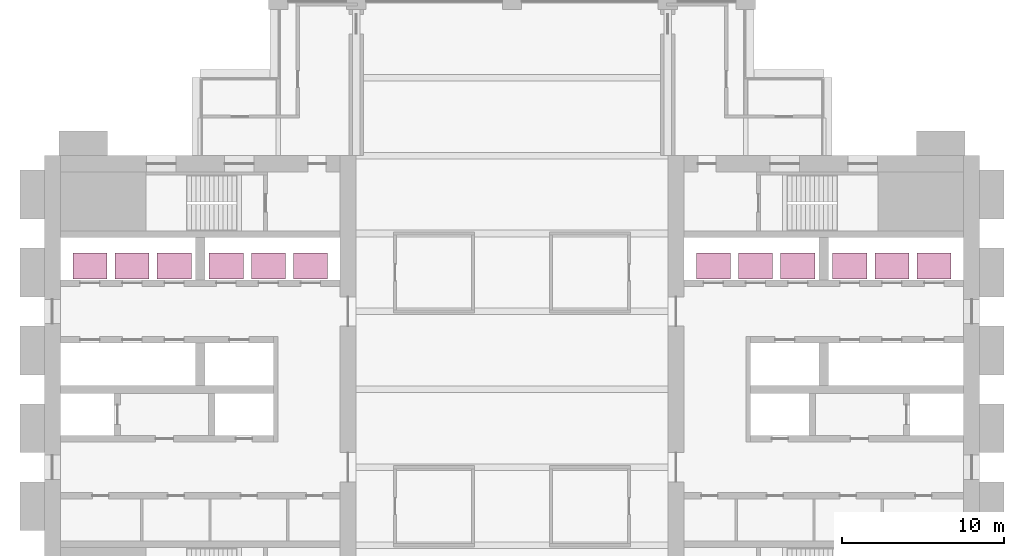
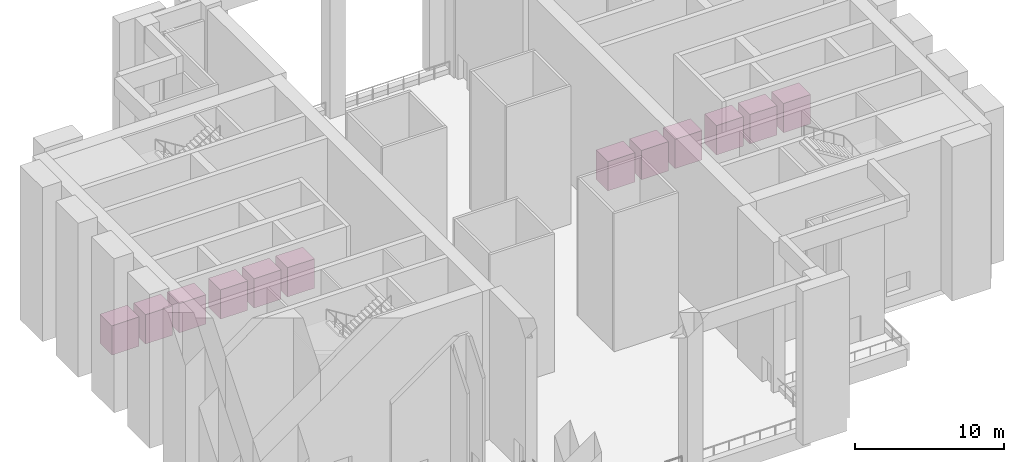
# One storey, part 9 of 9: 12 transport elements.
"""IFC4 building model written with IfcOpenShell, lengths in metres."""

from ifc_helpers import new_model, si_unit, direction, frame, origin, origin_2d, place, context, subcontext, project, spatial, rectangle, extrude, material, type_object, element, save


model = new_model("IFC4")

# Units and contexts
model_context = context("Model", 3, precision=1e-05, world=origin(), true_north=direction((0.0, 1.0)))
body_context = subcontext(model_context, "Body", "Model", "MODEL_VIEW")
ifc_project = project(units=[si_unit("LENGTHUNIT", "METRE"), si_unit("AREAUNIT", "SQUARE_METRE"), si_unit("VOLUMEUNIT", "CUBIC_METRE"), si_unit("PLANEANGLEUNIT", "RADIAN"), si_unit("MASSUNIT", "GRAM", prefix="KILO")], contexts=[model_context])

# Site, building, storey
site_placement = place(None, origin())
site = spatial("IfcSite", under=ifc_project, at=site_placement, CompositionType="ELEMENT")
building_placement = place(site_placement, origin())
building = spatial("IfcBuilding", under=site, at=building_placement, Name="Baori Bourse Tower", CompositionType="ELEMENT")
storey_placement = place(building_placement, frame((0.0, 0.0, 180.60009765625)))
storey = spatial("IfcBuildingStorey", under=building, at=storey_placement, Name="L40", CompositionType="ELEMENT", Elevation=180.60009765625)

# Transport elements
ifc_material = material(Name="Stainless steel car", Category="steel")
transport_element_type = type_object("IfcTransportElementType", Name="Passenger lift 1600 kg", PredefinedType="ELEVATOR", material=ifc_material)
for number, where, z_axis, x_axis, name in (
    (1, (2.800048828125, 31.60009765625, 0.0), (0.0, 0.0, 1.0), (1.0, 0.0, 0.0), "HR1 W"),
    (2, (5.39990234375, 31.60009765625, 0.0), (0.0, 0.0, 1.0), (1.0, 0.0, 0.0), "HR2 W"),
    (3, (8.0, 31.60009765625, 0.0), (0.0, 0.0, 1.0), (1.0, 0.0, 0.0), "HR3 W"),
    (4, (11.199951171875, 31.60009765625, 0.0), (0.0, 0.0, 1.0), (1.0, 0.0, 0.0), "HR4 W"),
    (5, (13.800048828125, 31.60009765625, 0.0), (0.0, 0.0, 1.0), (1.0, 0.0, 0.0), "HR5 W"),
    (6, (16.39990234375, 31.60009765625, 0.0), (0.0, 0.0, 1.0), (1.0, 0.0, 0.0), "HR6 W"),
    (7, (54.800048828125, 31.60009765625, 0.0), (0.0, 0.0, 1.0), (1.0, 0.0, 0.0), "HR1 E"),
    (8, (52.199951171875, 31.60009765625, 0.0), (0.0, 0.0, 1.0), (1.0, 0.0, 0.0), "HR2 E"),
    (9, (49.60009765625, 31.60009765625, 0.0), (0.0, 0.0, 1.0), (1.0, 0.0, 0.0), "HR3 E"),
    (10, (46.39990234375, 31.60009765625, 0.0), (0.0, 0.0, 1.0), (1.0, 0.0, 0.0), "HR4 E"),
    (11, (43.800048828125, 31.60009765625, 0.0), (0.0, 0.0, 1.0), (1.0, 0.0, 0.0), "HR5 E"),
    (12, (41.199951171875, 31.60009765625, 0.0), (0.0, 0.0, 1.0), (1.0, 0.0, 0.0), "HR6 E"),
):
    element("IfcTransportElement", number, at=place(storey_placement, frame(where, z_axis=z_axis, x_axis=x_axis)), inside=storey, type_object=transport_element_type, Name=name, PredefinedType="ELEVATOR", context=body_context, shape_type="SweptSolid", body=[
        extrude(rectangle(XDim=2.10009765625, YDim=1.60009765625, at=origin_2d()), origin(), (0.0, 0.0, 1.0), 2.39990234375),
    ])

save(model, "model.ifc")
